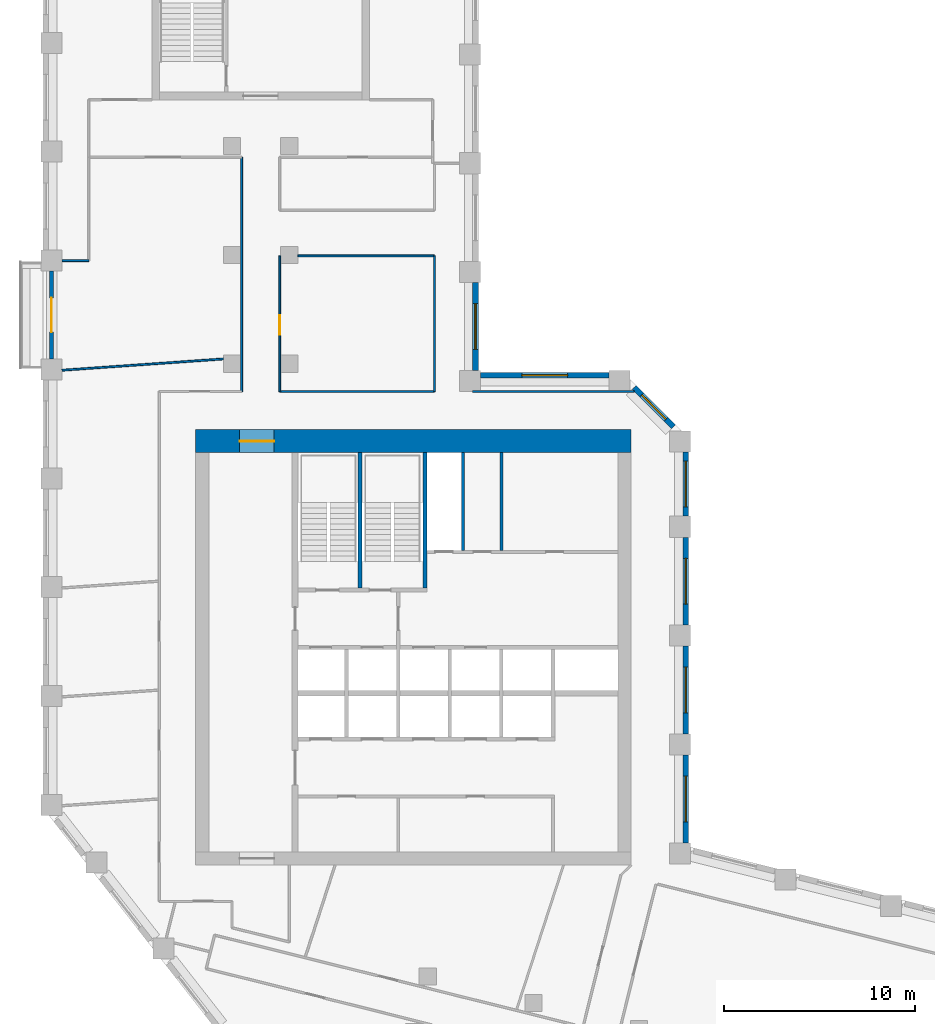
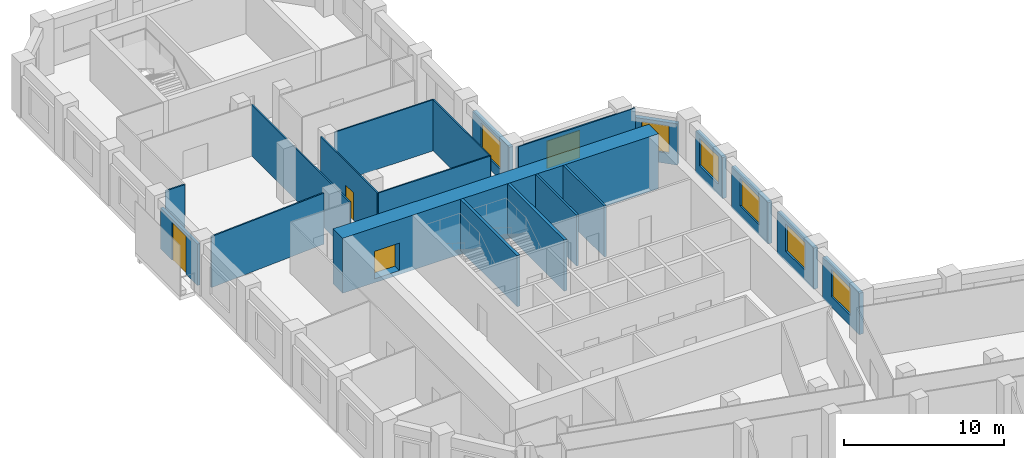
# One storey, part 6 of 10: 21 walls, 7 windows, 3 doors, 10 openings.
"""IFC4 building model written with IfcOpenShell, lengths in metres."""

from ifc_helpers import new_model, si_unit, direction, frame, frame_2d, origin, place, context, subcontext, project, spatial, rectangle, extrude, material, layer, layer_set, type_object, element, fill, save


model = new_model("IFC4")

# Units and contexts
model_context = context("Model", 3, precision=1e-05, world=origin(), true_north=direction((0.0, 1.0)))
body_context = subcontext(model_context, "Body", "Model", "MODEL_VIEW")
ifc_project = project(units=[si_unit("LENGTHUNIT", "METRE"), si_unit("AREAUNIT", "SQUARE_METRE"), si_unit("VOLUMEUNIT", "CUBIC_METRE"), si_unit("PLANEANGLEUNIT", "RADIAN"), si_unit("MASSUNIT", "GRAM", prefix="KILO")], contexts=[model_context])

# Site, building, storey
site_placement = place(None, origin())
site = spatial("IfcSite", under=ifc_project, at=site_placement, CompositionType="ELEMENT")
building_placement = place(site_placement, origin())
building = spatial("IfcBuilding", under=site, at=building_placement, Name="Meshkara Civic Tower", CompositionType="ELEMENT")
storey_placement = place(building_placement, frame((0.0, 0.0, 246.60009765625)))
storey = spatial("IfcBuildingStorey", under=building, at=storey_placement, Name="L56", CompositionType="ELEMENT", Elevation=246.60009765625)

# Walls
ifc_material_1 = material(Name="Blockwork", Category="masonry")
ifc_layer_1 = layer(ifc_material_1, 0.14990234375)
ifc_layer_set_1 = layer_set([ifc_layer_1], Name="Core partition 150")
wall_type_1 = type_object("IfcWallType", Name="Core partition 150", PredefinedType="PARTITIONING", material=ifc_layer_set_1)
for number, where, z_axis, x_axis, name in (
    (1, (22.0, 30.574951171875, 0.0), (0.0, 0.0, 1.0), (0.0, 1.0, 0.0), "L56-C018"),
    (2, (24.0, 30.574951171875, 0.0), (0.0, 0.0, 1.0), (0.0, 1.0, 0.0), "L56-C020"),
):
    element("IfcWall", number, at=place(storey_placement, frame(where, z_axis=z_axis, x_axis=x_axis)), inside=storey, type_object=wall_type_1, Name=name, PredefinedType="PARTITIONING", context=body_context, shape_type="SweptSolid", body=[
        extrude(rectangle(XDim=5.125, YDim=0.14990234375, at=frame_2d((2.5625, 0.0))), origin(), (0.0, 0.0, 1.0), 3.89990234375),
    ])

# Wall, opening, door
ifc_material_2 = material(Name="Concrete C60", Category="concrete")
ifc_layer_2 = layer(ifc_material_2, 1.199951171875)
ifc_layer_set_2 = layer_set([ifc_layer_2], Name="Core ring wall 1200 C60")
wall_type_2 = type_object("IfcWallType", Name="Core ring wall 1200 C60", PredefinedType="SHEAR", material=ifc_layer_set_2)
wall_1_placement = place(storey_placement, frame((8.0, 36.300048828125, -0.300048828125), z_axis=(0.0, 0.0, 1.0), x_axis=(1.0, 0.0, 0.0)))
wall_1 = element("IfcWall", 3, at=wall_1_placement, inside=storey, type_object=wall_type_2, Name="L56-C002", PredefinedType="SHEAR", context=body_context, shape_type="SweptSolid", body=[
    extrude(rectangle(XDim=22.800048828125, YDim=1.199951171875, at=frame_2d((11.39990234375, 0.0))), origin(), (0.0, 0.0, 1.0), 4.199951171875),
])
opening_1_placement = place(wall_1_placement, frame((2.300048828125, 0.0, 0.300048828125)))
opening_1 = element("IfcOpeningElement", 4, at=opening_1_placement, cuts=wall_1, Name="Opening L56-K020", PredefinedType="OPENING", context=body_context, shape_type="SweptSolid", body=[
    extrude(rectangle(XDim=1.800048828125, YDim=2.10009765625, at=frame_2d((0.89990234375, 1.050048828125))), frame((0.0, 0.60986328125, 0.0), z_axis=(0.0, -1.0, 0.0), x_axis=(1.0, 0.0, 0.0)), (0.0, 0.0, 1.0), 1.219970703125),
])
ifc_material_3 = material(Name="Fire-rated door leaf in steel frame", Category="steel")
door_type_1 = type_object("IfcDoorType", Name="Core double door 1800 EI 60", OperationType="DOUBLE_DOOR_SINGLE_SWING", PredefinedType="DOOR", material=ifc_material_3)
door_1_placement = place(opening_1_placement, origin())
door_1 = element("IfcDoor", 5, at=door_1_placement, inside=storey, type_object=door_type_1, Name="L56-K020", OperationType="DOUBLE_DOOR_SINGLE_SWING", OverallHeight=2.10009765625, OverallWidth=1.800048828125, PredefinedType="DOOR", context=body_context, shape_type="SweptSolid", body=[
    extrude(rectangle(XDim=1.800048828125, YDim=2.10009765625, at=frame_2d((0.89990234375, 1.050048828125))), frame((0.0, 0.02490234375, 0.0), z_axis=(0.0, -1.0, 0.0), x_axis=(1.0, 0.0, 0.0)), (0.0, 0.0, 1.0), 0.050048828125),
])
fill(opening_1, door_1)

# Wall
ifc_material_4 = material(Name="Corridor wall 100")
ifc_layer_3 = layer(ifc_material_4, 0.10009765625)
ifc_layer_set_3 = layer_set([ifc_layer_3], Name="Corridor wall 100")
wall_type_3 = type_object("IfcWallType", Name="Corridor wall 100", PredefinedType="PARTITIONING", material=ifc_layer_set_3)
wall_2_placement = place(storey_placement, frame((10.39990234375, 51.169921875, 0.0), z_axis=(0.0, 0.0, 1.0), x_axis=(0.0, -1.0, 0.0)))
element("IfcWall", 6, at=wall_2_placement, inside=storey, type_object=wall_type_3, Name="L56-W012", PredefinedType="PARTITIONING", context=body_context, shape_type="SweptSolid", body=[
    extrude(rectangle(XDim=12.27001953125, YDim=0.10009765625, at=frame_2d((6.135009765625, 0.0))), origin(), (0.0, 0.0, 1.0), 3.89990234375),
])

# Wall, opening, door
wall_3_placement = place(storey_placement, frame((12.39990234375, 38.89990234375, 0.0), z_axis=(0.0, 0.0, 1.0), x_axis=(0.0, 1.0, 0.0)))
wall_3 = element("IfcWall", 7, at=wall_3_placement, inside=storey, type_object=wall_type_3, Name="L56-W013", PredefinedType="PARTITIONING", context=body_context, shape_type="SweptSolid", body=[
    extrude(rectangle(XDim=7.09619140625, YDim=0.10009765625, at=frame_2d((3.548095703125, 0.0))), origin(), (0.0, 0.0, 1.0), 3.89990234375),
])
opening_2_placement = place(wall_3_placement, frame((2.97998046875, 0.0, 0.0)))
opening_2 = element("IfcOpeningElement", 8, at=opening_2_placement, cuts=wall_3, Name="Opening L56-D018", PredefinedType="OPENING", context=body_context, shape_type="SweptSolid", body=[
    extrude(rectangle(XDim=1.0, YDim=2.10009765625, at=frame_2d((0.5, 1.050048828125))), frame((0.0, 0.06005859375, 0.0), z_axis=(0.0, -1.0, 0.0), x_axis=(1.0, 0.0, 0.0)), (0.0, 0.0, 1.0), 0.1201171875),
])
ifc_material_5 = material(Name="Door 1000 x 2100")
door_type_2 = type_object("IfcDoorType", Name="Door 1000 x 2100", OperationType="SINGLE_SWING_LEFT", PredefinedType="DOOR", material=ifc_material_5)
door_2_placement = place(opening_2_placement, origin())
door_2 = element("IfcDoor", 9, at=door_2_placement, inside=storey, type_object=door_type_2, Name="L56-D018", OperationType="SINGLE_SWING_RIGHT", OverallHeight=2.10009765625, OverallWidth=1.0, PredefinedType="DOOR", context=body_context, shape_type="SweptSolid", body=[
    extrude(rectangle(XDim=1.0, YDim=2.10009765625, at=frame_2d((0.5, 1.050048828125))), frame((0.0, 0.02490234375, 0.0), z_axis=(0.0, -1.0, 0.0), x_axis=(1.0, 0.0, 0.0)), (0.0, 0.0, 1.0), 0.050048828125),
])
fill(opening_2, door_2)

# Walls
wall_4_placement = place(storey_placement, frame((13.35009765625, 46.0, 0.0), z_axis=(0.0, 0.0, 1.0), x_axis=(1.0, 0.0, 0.0)))
element("IfcWall", 10, at=wall_4_placement, inside=storey, type_object=wall_type_3, Name="L56-W017", PredefinedType="PARTITIONING", context=body_context, shape_type="SweptSolid", body=[
    extrude(rectangle(XDim=7.14990234375, YDim=0.10009765625, at=frame_2d((3.574951171875, 0.0))), origin(), (0.0, 0.0, 1.0), 3.89990234375),
])
wall_5_placement = place(storey_placement, frame((20.5, 38.89990234375, 0.0), z_axis=(0.0, 0.0, 1.0), x_axis=(-1.0, 0.0, 0.0)))
element("IfcWall", 11, at=wall_5_placement, inside=storey, type_object=wall_type_3, Name="L56-W020", PredefinedType="PARTITIONING", context=body_context, shape_type="SweptSolid", body=[
    extrude(rectangle(XDim=8.10009765625, YDim=0.10009765625, at=frame_2d((4.050048828125, 0.0))), origin(), (0.0, 0.0, 1.0), 3.89990234375),
])
wall_6_placement = place(storey_placement, frame((20.5, 46.0, 0.0), z_axis=(0.0, 0.0, 1.0), x_axis=(0.0, -1.0, 0.0)))
element("IfcWall", 12, at=wall_6_placement, inside=storey, type_object=wall_type_3, Name="L56-W021", PredefinedType="PARTITIONING", context=body_context, shape_type="SweptSolid", body=[
    extrude(rectangle(XDim=7.10009765625, YDim=0.10009765625, at=frame_2d((3.550048828125, 0.0))), origin(), (0.0, 0.0, 1.0), 3.89990234375),
])
wall_7_placement = place(storey_placement, frame((30.9560546875, 38.89990234375, 0.0), z_axis=(0.0, 0.0, 1.0), x_axis=(-1.0, 0.0, 0.0)))
element("IfcWall", 13, at=wall_7_placement, inside=storey, type_object=wall_type_3, Name="L56-W029", PredefinedType="PARTITIONING", context=body_context, shape_type="SweptSolid", body=[
    extrude(rectangle(XDim=8.4560546875, YDim=0.10009765625, at=frame_2d((4.22802734375, 0.0))), origin(), (0.0, 0.0, 1.0), 3.89990234375),
])

# Wall, opening, window
ifc_material_6 = material(Name="Insulated infill panel with bronze anodised aluminium cladding", Category="aluminium")
ifc_layer_4 = layer(ifc_material_6, 0.300048828125)
ifc_layer_set_4 = layer_set([ifc_layer_4], Name="EXTERNAL INFILL WALL 300")
wall_type_4 = type_object("IfcWallType", Name="EXTERNAL INFILL WALL 300", PredefinedType="SOLIDWALL", material=ifc_layer_set_4)
wall_8_placement = place(storey_placement, frame((33.64990234375, 15.26904296875, 0.0), z_axis=(0.0, 0.0, 1.0), x_axis=(0.0, 1.0, 0.0)))
wall_8 = element("IfcWall", 14, at=wall_8_placement, inside=storey, type_object=wall_type_4, Name="External wall", PredefinedType="SOLIDWALL", context=body_context, shape_type="SweptSolid", body=[
    extrude(rectangle(XDim=4.599853515625, YDim=0.300048828125, at=frame_2d((2.2998046875, 0.0))), origin(), (0.0, 0.0, 1.0), 3.14990234375),
])
opening_3_placement = place(wall_8_placement, frame((1.10009765625, 0.0, 0.800048828125)))
opening_3 = element("IfcOpeningElement", 15, at=opening_3_placement, cuts=wall_8, Name="Opening W7", PredefinedType="OPENING", context=body_context, shape_type="SweptSolid", body=[
    extrude(rectangle(XDim=2.39990234375, YDim=2.10009765625, at=frame_2d((1.199951171875, 1.050048828125))), frame((0.0, 0.159912109375, 0.0), z_axis=(0.0, -1.0, 0.0), x_axis=(1.0, 0.0, 0.0)), (0.0, 0.0, 1.0), 0.320068359375),
])
ifc_material_7 = material(Name="Tinted double glazing", Category="glass")
window_type_1 = type_object("IfcWindowType", Name="WINDOW 2400x2100", PartitioningType="DOUBLE_PANEL_VERTICAL", PredefinedType="WINDOW", material=ifc_material_7)
window_1_placement = place(opening_3_placement, origin())
window_1 = element("IfcWindow", 16, at=window_1_placement, inside=storey, type_object=window_type_1, Name="Window", OverallHeight=2.10009765625, OverallWidth=2.39990234375, PartitioningType="DOUBLE_PANEL_VERTICAL", PredefinedType="WINDOW", context=body_context, shape_type="SweptSolid", body=[
    extrude(rectangle(XDim=2.39990234375, YDim=2.10009765625, at=frame_2d((1.199951171875, 1.050048828125))), frame((0.0, 0.030029296875, 0.0), z_axis=(0.0, -1.0, 0.0), x_axis=(1.0, 0.0, 0.0)), (0.0, 0.0, 1.0), 0.06005859375),
])
fill(opening_3, window_1)

wall_9_placement = place(storey_placement, frame((33.64990234375, 20.968994140625, 0.0), z_axis=(0.0, 0.0, 1.0), x_axis=(0.0, 1.0, 0.0)))
wall_9 = element("IfcWall", 17, at=wall_9_placement, inside=storey, type_object=wall_type_4, Name="External wall", PredefinedType="SOLIDWALL", context=body_context, shape_type="SweptSolid", body=[
    extrude(rectangle(XDim=4.60009765625, YDim=0.300048828125, at=frame_2d((2.300048828125, 0.0))), origin(), (0.0, 0.0, 1.0), 3.14990234375),
])
opening_4_placement = place(wall_9_placement, frame((1.10009765625, 0.0, 0.800048828125)))
opening_4 = element("IfcOpeningElement", 18, at=opening_4_placement, cuts=wall_9, Name="Opening W7", PredefinedType="OPENING", context=body_context, shape_type="SweptSolid", body=[
    extrude(rectangle(XDim=2.39990234375, YDim=2.10009765625, at=frame_2d((1.199951171875, 1.050048828125))), frame((0.0, 0.159912109375, 0.0), z_axis=(0.0, -1.0, 0.0), x_axis=(1.0, 0.0, 0.0)), (0.0, 0.0, 1.0), 0.320068359375),
])
window_2_placement = place(opening_4_placement, origin())
window_2 = element("IfcWindow", 19, at=window_2_placement, inside=storey, type_object=window_type_1, Name="Window", OverallHeight=2.10009765625, OverallWidth=2.39990234375, PartitioningType="DOUBLE_PANEL_VERTICAL", PredefinedType="WINDOW", context=body_context, shape_type="SweptSolid", body=[
    extrude(rectangle(XDim=2.39990234375, YDim=2.10009765625, at=frame_2d((1.199951171875, 1.050048828125))), frame((0.0, 0.030029296875, 0.0), z_axis=(0.0, -1.0, 0.0), x_axis=(1.0, 0.0, 0.0)), (0.0, 0.0, 1.0), 0.06005859375),
])
fill(opening_4, window_2)

wall_10_placement = place(storey_placement, frame((33.64990234375, 26.6689453125, 0.0), z_axis=(0.0, 0.0, 1.0), x_axis=(0.0, 1.0, 0.0)))
wall_10 = element("IfcWall", 20, at=wall_10_placement, inside=storey, type_object=wall_type_4, Name="External wall", PredefinedType="SOLIDWALL", context=body_context, shape_type="SweptSolid", body=[
    extrude(rectangle(XDim=4.60009765625, YDim=0.300048828125, at=frame_2d((2.300048828125, 0.0))), origin(), (0.0, 0.0, 1.0), 3.14990234375),
])
opening_5_placement = place(wall_10_placement, frame((1.10009765625, 0.0, 0.800048828125)))
opening_5 = element("IfcOpeningElement", 21, at=opening_5_placement, cuts=wall_10, Name="Opening W7", PredefinedType="OPENING", context=body_context, shape_type="SweptSolid", body=[
    extrude(rectangle(XDim=2.39990234375, YDim=2.10009765625, at=frame_2d((1.199951171875, 1.050048828125))), frame((0.0, 0.159912109375, 0.0), z_axis=(0.0, -1.0, 0.0), x_axis=(1.0, 0.0, 0.0)), (0.0, 0.0, 1.0), 0.320068359375),
])
window_3_placement = place(opening_5_placement, origin())
window_3 = element("IfcWindow", 22, at=window_3_placement, inside=storey, type_object=window_type_1, Name="Window", OverallHeight=2.10009765625, OverallWidth=2.39990234375, PartitioningType="DOUBLE_PANEL_VERTICAL", PredefinedType="WINDOW", context=body_context, shape_type="SweptSolid", body=[
    extrude(rectangle(XDim=2.39990234375, YDim=2.10009765625, at=frame_2d((1.199951171875, 1.050048828125))), frame((0.0, 0.030029296875, 0.0), z_axis=(0.0, -1.0, 0.0), x_axis=(1.0, 0.0, 0.0)), (0.0, 0.0, 1.0), 0.06005859375),
])
fill(opening_5, window_3)

wall_11_placement = place(storey_placement, frame((33.64990234375, 32.368896484375, 0.0), z_axis=(0.0, 0.0, 1.0), x_axis=(0.0, 1.0, 0.0)))
wall_11 = element("IfcWall", 23, at=wall_11_placement, inside=storey, type_object=wall_type_4, Name="External wall", PredefinedType="SOLIDWALL", context=body_context, shape_type="SweptSolid", body=[
    extrude(rectangle(XDim=3.375, YDim=0.300048828125, at=frame_2d((1.6875, 0.0))), origin(), (0.0, 0.0, 1.0), 3.14990234375),
])
opening_6_placement = place(wall_11_placement, frame((0.488037109375, 0.0, 0.800048828125)))
opening_6 = element("IfcOpeningElement", 24, at=opening_6_placement, cuts=wall_11, Name="Opening W7", PredefinedType="OPENING", context=body_context, shape_type="SweptSolid", body=[
    extrude(rectangle(XDim=2.39990234375, YDim=2.10009765625, at=frame_2d((1.199951171875, 1.050048828125))), frame((0.0, 0.159912109375, 0.0), z_axis=(0.0, -1.0, 0.0), x_axis=(1.0, 0.0, 0.0)), (0.0, 0.0, 1.0), 0.320068359375),
])
window_4_placement = place(opening_6_placement, origin())
window_4 = element("IfcWindow", 25, at=window_4_placement, inside=storey, type_object=window_type_1, Name="Window", OverallHeight=2.10009765625, OverallWidth=2.39990234375, PartitioningType="DOUBLE_PANEL_VERTICAL", PredefinedType="WINDOW", context=body_context, shape_type="SweptSolid", body=[
    extrude(rectangle(XDim=2.39990234375, YDim=2.10009765625, at=frame_2d((1.199951171875, 1.050048828125))), frame((0.0, 0.030029296875, 0.0), z_axis=(0.0, -1.0, 0.0), x_axis=(1.0, 0.0, 0.0)), (0.0, 0.0, 1.0), 0.06005859375),
])
fill(opening_6, window_4)

wall_12_placement = place(storey_placement, frame((33.011962890625, 37.055908203125, 0.0), z_axis=(0.0, 0.0, 1.0), x_axis=(-0.707064797706, 0.707148762175, 0.0)))
wall_12 = element("IfcWall", 26, at=wall_12_placement, inside=storey, type_object=wall_type_4, Name="External wall", PredefinedType="SOLIDWALL", context=body_context, shape_type="SweptSolid", body=[
    extrude(rectangle(XDim=2.90771484375, YDim=0.300048828125, at=frame_2d((1.453857421875, 0.0))), origin(), (0.0, 0.0, 1.0), 3.14990234375),
])
opening_7_placement = place(wall_12_placement, frame((0.553955078125, 0.0, 0.800048828125)))
opening_7 = element("IfcOpeningElement", 27, at=opening_7_placement, cuts=wall_12, Name="Opening W9", PredefinedType="OPENING", context=body_context, shape_type="SweptSolid", body=[
    extrude(rectangle(XDim=1.800048828125, YDim=2.10009765625, at=frame_2d((0.89990234375, 1.050048828125))), frame((0.0, 0.159912109375, 0.0), z_axis=(0.0, -1.0, 0.0), x_axis=(1.0, 0.0, 0.0)), (0.0, 0.0, 1.0), 0.320068359375),
])
ifc_material_8 = material(Name="Tinted double glazing", Category="glass")
window_type_2 = type_object("IfcWindowType", Name="WINDOW 1800x2100", PartitioningType="DOUBLE_PANEL_VERTICAL", PredefinedType="WINDOW", material=ifc_material_8)
window_5_placement = place(opening_7_placement, origin())
window_5 = element("IfcWindow", 28, at=window_5_placement, inside=storey, type_object=window_type_2, Name="Window", OverallHeight=2.10009765625, OverallWidth=1.800048828125, PartitioningType="DOUBLE_PANEL_VERTICAL", PredefinedType="WINDOW", context=body_context, shape_type="SweptSolid", body=[
    extrude(rectangle(XDim=1.800048828125, YDim=2.10009765625, at=frame_2d((0.89990234375, 1.050048828125))), frame((0.0, 0.030029296875, 0.0), z_axis=(0.0, -1.0, 0.0), x_axis=(1.0, 0.0, 0.0)), (0.0, 0.0, 1.0), 0.06005859375),
])
fill(opening_7, window_5)

wall_13_placement = place(storey_placement, frame((29.64404296875, 39.75, 0.0), z_axis=(0.0, 0.0, 1.0), x_axis=(-1.0, 0.0, 0.0)))
wall_13 = element("IfcWall", 29, at=wall_13_placement, inside=storey, type_object=wall_type_4, Name="External wall", PredefinedType="SOLIDWALL", context=body_context, shape_type="SweptSolid", body=[
    extrude(rectangle(XDim=6.744140625, YDim=0.300048828125, at=frame_2d((3.3720703125, 0.0))), origin(), (0.0, 0.0, 1.0), 3.14990234375),
])
opening_8_placement = place(wall_13_placement, frame((2.172119140625, 0.0, 0.800048828125)))
opening_8 = element("IfcOpeningElement", 30, at=opening_8_placement, cuts=wall_13, Name="Opening W7", PredefinedType="OPENING", context=body_context, shape_type="SweptSolid", body=[
    extrude(rectangle(XDim=2.39990234375, YDim=2.10009765625, at=frame_2d((1.199951171875, 1.050048828125))), frame((0.0, 0.159912109375, 0.0), z_axis=(0.0, -1.0, 0.0), x_axis=(1.0, 0.0, 0.0)), (0.0, 0.0, 1.0), 0.320068359375),
])
window_6_placement = place(opening_8_placement, origin())
window_6 = element("IfcWindow", 31, at=window_6_placement, inside=storey, type_object=window_type_1, Name="Window", OverallHeight=2.10009765625, OverallWidth=2.39990234375, PartitioningType="DOUBLE_PANEL_VERTICAL", PredefinedType="WINDOW", context=body_context, shape_type="SweptSolid", body=[
    extrude(rectangle(XDim=2.39990234375, YDim=2.10009765625, at=frame_2d((1.199951171875, 1.050048828125))), frame((0.0, 0.030029296875, 0.0), z_axis=(0.0, -1.0, 0.0), x_axis=(1.0, 0.0, 0.0)), (0.0, 0.0, 1.0), 0.06005859375),
])
fill(opening_8, window_6)

wall_14_placement = place(storey_placement, frame((22.64990234375, 40.0, 0.0), z_axis=(0.0, 0.0, 1.0), x_axis=(0.0, 1.0, 0.0)))
wall_14 = element("IfcWall", 32, at=wall_14_placement, inside=storey, type_object=wall_type_4, Name="External wall", PredefinedType="SOLIDWALL", context=body_context, shape_type="SweptSolid", body=[
    extrude(rectangle(XDim=4.60009765625, YDim=0.300048828125, at=frame_2d((2.300048828125, 0.0))), origin(), (0.0, 0.0, 1.0), 3.14990234375),
])
opening_9_placement = place(wall_14_placement, frame((1.10009765625, 0.0, 0.800048828125)))
opening_9 = element("IfcOpeningElement", 33, at=opening_9_placement, cuts=wall_14, Name="Opening W7", PredefinedType="OPENING", context=body_context, shape_type="SweptSolid", body=[
    extrude(rectangle(XDim=2.39990234375, YDim=2.10009765625, at=frame_2d((1.199951171875, 1.050048828125))), frame((0.0, 0.159912109375, 0.0), z_axis=(0.0, -1.0, 0.0), x_axis=(1.0, 0.0, 0.0)), (0.0, 0.0, 1.0), 0.320068359375),
])
window_7_placement = place(opening_9_placement, origin())
window_7 = element("IfcWindow", 34, at=window_7_placement, inside=storey, type_object=window_type_1, Name="Window", OverallHeight=2.10009765625, OverallWidth=2.39990234375, PartitioningType="DOUBLE_PANEL_VERTICAL", PredefinedType="WINDOW", context=body_context, shape_type="SweptSolid", body=[
    extrude(rectangle(XDim=2.39990234375, YDim=2.10009765625, at=frame_2d((1.199951171875, 1.050048828125))), frame((0.0, 0.030029296875, 0.0), z_axis=(0.0, -1.0, 0.0), x_axis=(1.0, 0.0, 0.0)), (0.0, 0.0, 1.0), 0.06005859375),
])
fill(opening_9, window_7)

# Wall, opening, door
ifc_material_9 = material(Name="Insulated infill panel with bronze anodised aluminium cladding", Category="aluminium")
ifc_layer_5 = layer(ifc_material_9, 0.199951171875)
ifc_layer_set_5 = layer_set([ifc_layer_5], Name="LOGGIA BACK WALL 200")
wall_type_5 = type_object("IfcWallType", Name="LOGGIA BACK WALL 200", PredefinedType="SOLIDWALL", material=ifc_layer_set_5)
wall_15_placement = place(storey_placement, frame((0.449951171875, 45.205078125, 0.0), z_axis=(0.0, 0.0, 1.0), x_axis=(0.0, -1.0, 0.0)))
wall_15 = element("IfcWall", 35, at=wall_15_placement, inside=storey, type_object=wall_type_5, Name="Loggia wall", PredefinedType="SOLIDWALL", context=body_context, shape_type="SweptSolid", body=[
    extrude(rectangle(XDim=4.60009765625, YDim=0.199951171875, at=frame_2d((2.300048828125, 0.0))), origin(), (0.0, 0.0, 1.0), 3.14990234375),
])
opening_10_placement = place(wall_15_placement, frame((1.39990234375, 0.0, 0.0)))
opening_10 = element("IfcOpeningElement", 36, at=opening_10_placement, cuts=wall_15, Name="Opening L56-L001", PredefinedType="OPENING", context=body_context, shape_type="SweptSolid", body=[
    extrude(rectangle(XDim=1.800048828125, YDim=2.89990234375, at=frame_2d((0.89990234375, 1.449951171875))), frame((0.0, 0.10986328125, 0.0), z_axis=(0.0, -1.0, 0.0), x_axis=(1.0, 0.0, 0.0)), (0.0, 0.0, 1.0), 0.219970703125),
])
ifc_material_10 = material(Name="Tinted double glazing", Category="glass")
door_type_3 = type_object("IfcDoorType", Name="LOGGIA DOOR 1800x2900", OperationType="DOUBLE_DOOR_SINGLE_SWING", PredefinedType="DOOR", material=ifc_material_10)
door_3_placement = place(opening_10_placement, origin())
door_3 = element("IfcDoor", 37, at=door_3_placement, inside=storey, type_object=door_type_3, Name="L56-L001", OperationType="DOUBLE_DOOR_SINGLE_SWING", OverallHeight=2.89990234375, OverallWidth=1.800048828125, PredefinedType="DOOR", context=body_context, shape_type="SweptSolid", body=[
    extrude(rectangle(XDim=1.800048828125, YDim=2.89990234375, at=frame_2d((0.89990234375, 1.449951171875))), frame((0.0, 0.02490234375, 0.0), z_axis=(0.0, -1.0, 0.0), x_axis=(1.0, 0.0, 0.0)), (0.0, 0.0, 1.0), 0.050048828125),
])
fill(opening_10, door_3)

# Walls
ifc_material_11 = material(Name="Partition 100")
ifc_layer_6 = layer(ifc_material_11, 0.10009765625)
ifc_layer_set_6 = layer_set([ifc_layer_6], Name="Partition 100")
wall_type_6 = type_object("IfcWallType", Name="Partition 100", PredefinedType="PARTITIONING", material=ifc_layer_set_6)
wall_16_placement = place(storey_placement, frame((2.39990234375, 45.7548828125, 0.0), z_axis=(0.0, 0.0, 1.0), x_axis=(-1.0, 0.0, 0.0)))
element("IfcWall", 38, at=wall_16_placement, inside=storey, type_object=wall_type_6, Name="L56-W038", PredefinedType="PARTITIONING", context=body_context, shape_type="SweptSolid", body=[
    extrude(rectangle(XDim=1.39990234375, YDim=0.10009765625, at=frame_2d((0.699951171875, 0.0))), origin(), (0.0, 0.0, 1.0), 3.89990234375),
])
wall_17_placement = place(storey_placement, frame((9.449951171875, 40.60400390625, 0.0), z_axis=(0.0, 0.0, 1.0), x_axis=(-0.997562519498, -0.069778361206, 0.0)))
element("IfcWall", 39, at=wall_17_placement, inside=storey, type_object=wall_type_6, Name="L56-W045", PredefinedType="PARTITIONING", context=body_context, shape_type="SweptSolid", body=[
    extrude(rectangle(XDim=8.470703125, YDim=0.10009765625, at=frame_2d((4.2353515625, 0.0))), origin(), (0.0, 0.0, 1.0), 3.89990234375),
])
ifc_material_12 = material(Name="Concrete C40/50", Category="concrete")
ifc_layer_7 = layer(ifc_material_12, 0.199951171875)
ifc_layer_set_7 = layer_set([ifc_layer_7], Name="Stair enclosure wall 200 C40/50")
wall_type_7 = type_object("IfcWallType", Name="Stair enclosure wall 200 C40/50", PredefinedType="SOLIDWALL", material=ifc_layer_set_7)
for number, where, z_axis, x_axis, name in (
    (40, (16.60009765625, 28.60009765625, 0.0), (0.0, 0.0, 1.0), (0.0, 1.0, 0.0), "L56-C013"),
    (41, (20.0, 28.60009765625, 0.0), (0.0, 0.0, 1.0), (0.0, 1.0, 0.0), "L56-C016"),
):
    element("IfcWall", number, at=place(storey_placement, frame(where, z_axis=z_axis, x_axis=x_axis)), inside=storey, type_object=wall_type_7, Name=name, PredefinedType="SOLIDWALL", context=body_context, shape_type="SweptSolid", body=[
        extrude(rectangle(XDim=7.099853515625, YDim=0.199951171875, at=frame_2d((3.5498046875, 0.0))), origin(), (0.0, 0.0, 1.0), 3.89990234375),
    ])

save(model, "model.ifc")
